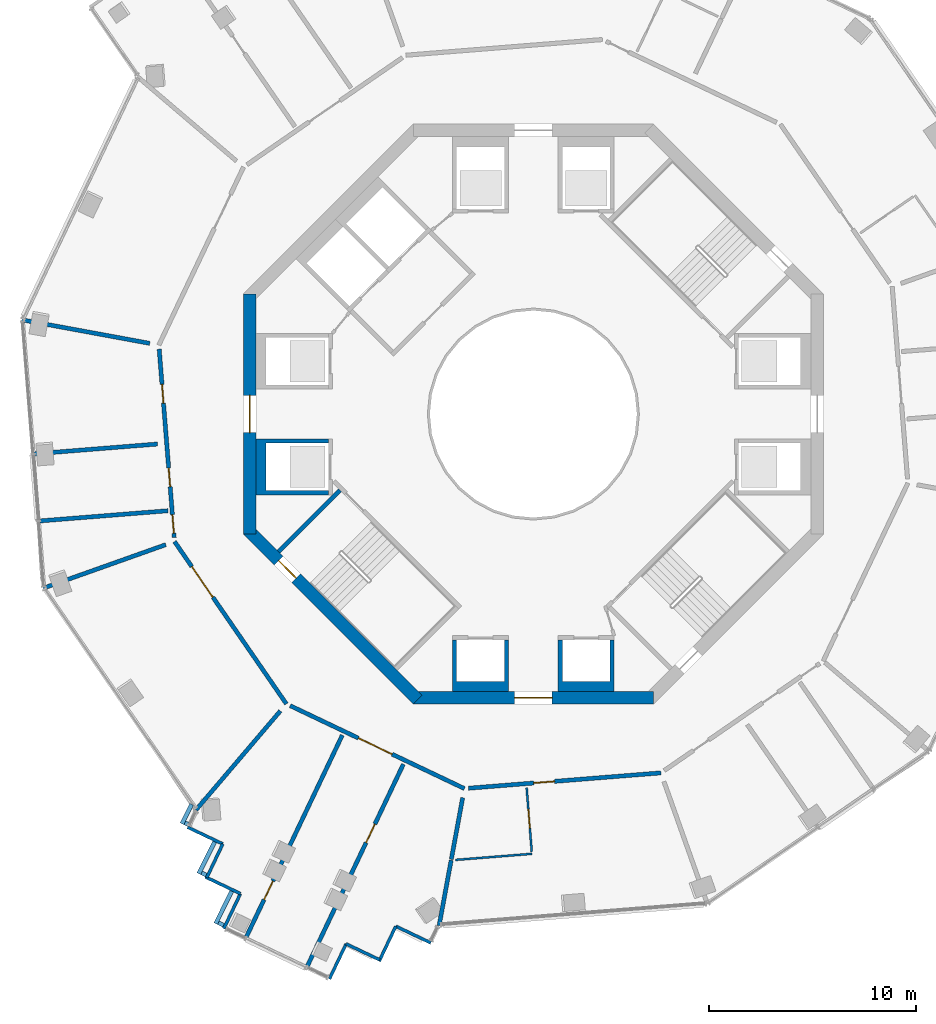
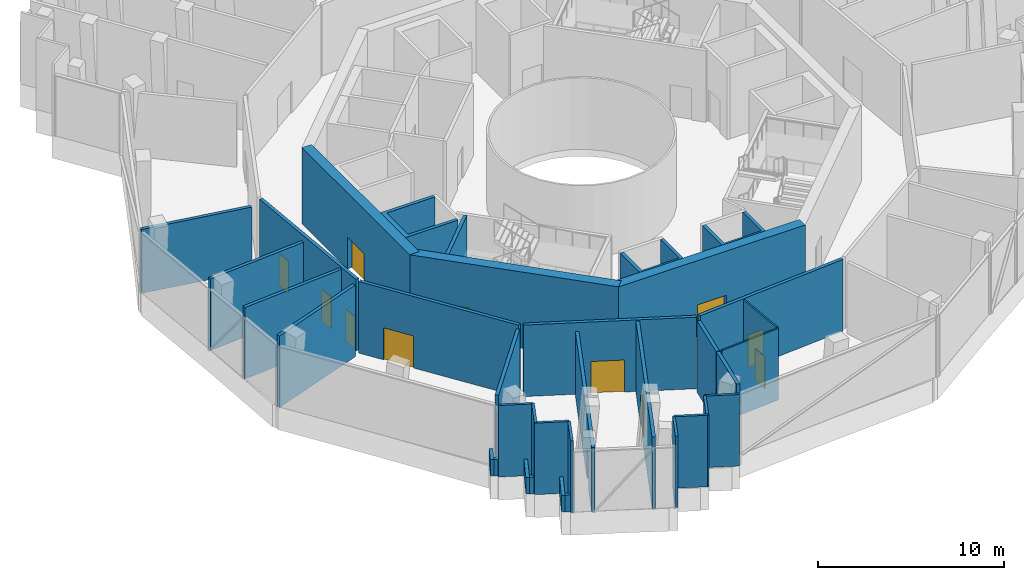
# One storey, part 11 of 21: 36 walls, 12 doors, 12 openings.
"""IFC4 building model written with IfcOpenShell, lengths in metres."""

from ifc_helpers import new_model, si_unit, direction, frame, frame_2d, origin, place, context, subcontext, project, spatial, polyline, rectangle, outline, extrude, material, layer, layer_set, type_object, element, fill, save


model = new_model("IFC4")

# Units and contexts
model_context = context("Model", 3, precision=1e-05, world=origin(), true_north=direction((0.0, 1.0)))
body_context = subcontext(model_context, "Body", "Model", "MODEL_VIEW")
ifc_project = project(units=[si_unit("LENGTHUNIT", "METRE"), si_unit("AREAUNIT", "SQUARE_METRE"), si_unit("VOLUMEUNIT", "CUBIC_METRE"), si_unit("PLANEANGLEUNIT", "RADIAN"), si_unit("MASSUNIT", "GRAM", prefix="KILO")], contexts=[model_context])

# Site, building, storey
site_placement = place(None, origin())
site = spatial("IfcSite", under=ifc_project, at=site_placement, CompositionType="ELEMENT")
building_placement = place(site_placement, origin())
building = spatial("IfcBuilding", under=site, at=building_placement, Name="Verdalira Terraces Hotel", CompositionType="ELEMENT")
storey_placement = place(building_placement, frame((0.0, 0.0, 175.0)))
storey = spatial("IfcBuildingStorey", under=building, at=storey_placement, Name="L42", CompositionType="ELEMENT", Elevation=175.0)

# Wall
ifc_material_1 = material(Name="Moisture-resistant gypsum board partition")
ifc_layer_1 = layer(ifc_material_1, 0.10009765625)
ifc_layer_set_1 = layer_set([ifc_layer_1], Name="Bathroom partition 100 mm")
wall_type_1 = type_object("IfcWallType", Name="Bathroom partition 100 mm", PredefinedType="PARTITIONING", material=ifc_layer_set_1)
wall_1_placement = place(storey_placement, frame((-0.070557, -21.231201, 0.0), z_axis=(0.0, 0.0, 1.0), x_axis=(-0.996835784, -0.079488492, 0.0)))
element("IfcWall", 1, at=wall_1_placement, inside=storey, type_object=wall_type_1, Name="Bathroom partition", PredefinedType="PARTITIONING", context=body_context, shape_type="SweptSolid", body=[
    extrude(rectangle(XDim=3.704102, YDim=0.100098, at=frame_2d((1.852051, 0.0))), origin(), (0.0, 0.0, 1.0), 4.689941),
])

# Wall, opening, door
wall_2_placement = place(storey_placement, frame((-0.078613, -21.131592, 0.0), z_axis=(0.0, 0.0, 1.0), x_axis=(-0.079460386, 0.996838024, 0.0)))
wall_2 = element("IfcWall", 2, at=wall_2_placement, inside=storey, type_object=wall_type_1, Name="Bathroom partition", PredefinedType="PARTITIONING", context=body_context, shape_type="SweptSolid", body=[
    extrude(rectangle(XDim=3.100098, YDim=0.100098, at=frame_2d((1.550049, 0.0))), origin(), (0.0, 0.0, 1.0), 4.689941),
])
opening_1_placement = place(wall_2_placement, frame((1.149902, 0.0, 0.0)))
opening_1 = element("IfcOpeningElement", 3, at=opening_1_placement, cuts=wall_2, Name="Opening L42-111", PredefinedType="OPENING", context=body_context, shape_type="SweptSolid", body=[
    extrude(rectangle(XDim=0.899902, YDim=2.100098, at=frame_2d((0.449951, 1.050049))), frame((0.0, 0.060059, 0.0), z_axis=(0.0, -1.0, 0.0), x_axis=(1.0, 0.0, 0.0)), (0.0, 0.0, 1.0), 0.120117),
])
ifc_material_2 = material(Name="Timber door", Category="wood")
door_type_1 = type_object("IfcDoorType", Name="Bathroom door 900 x 2100", OperationType="NOTDEFINED", PredefinedType="DOOR", material=ifc_material_2)
door_1_placement = place(opening_1_placement, origin())
door_1 = element("IfcDoor", 4, at=door_1_placement, inside=storey, type_object=door_type_1, Name="Bathroom door 4206", OperationType="SINGLE_SWING_LEFT", OverallHeight=2.10009765625, OverallWidth=0.89990234375, PredefinedType="DOOR", context=body_context, shape_type="SweptSolid", body=[
    extrude(rectangle(XDim=0.899902, YDim=2.100098, at=frame_2d((0.449951, 1.050049))), frame((0.0, 0.024902, 0.0), z_axis=(0.0, -1.0, 0.0), x_axis=(1.0, 0.0, 0.0)), (0.0, 0.0, 1.0), 0.050049),
])
fill(opening_1, door_1)

# Walls
ifc_material_3 = material(Name="Concrete C50", Category="concrete")
ifc_layer_2 = layer(ifc_material_3, 0.199951171875)
ifc_layer_set_2 = layer_set([ifc_layer_2], Name="Core RC wall 200 C50")
wall_type_2 = type_object("IfcWallType", Name="Core RC wall 200 C50", PredefinedType="SOLIDWALL", material=ifc_layer_set_2)
wall_3_placement = place(storey_placement, origin())
element("IfcWall", 5, at=wall_3_placement, inside=storey, type_object=wall_type_2, Name="L42 shaft wall W2", PredefinedType="SOLIDWALL", context=body_context, shape_type="SweptSolid", body=[
    extrude(outline(polyline([(-13.399902, -3.899902), (-13.399902, -1.199951), (-9.899902, -1.199951), (-9.899902, -1.399902), (-12.899902, -1.399902), (-12.899902, -3.699951), (-9.899902, -3.699951), (-9.899902, -3.899902), (-13.399902, -3.899902)])), origin(), (0.0, 0.0, 1.0), 4.689941),
])
wall_4_placement = place(storey_placement, origin())
element("IfcWall", 6, at=wall_4_placement, inside=storey, type_object=wall_type_2, Name="L42 shaft wall S1", PredefinedType="SOLIDWALL", context=body_context, shape_type="SweptSolid", body=[
    extrude(outline(polyline([(-3.899902, -13.399902), (-3.899902, -10.899902), (-3.699951, -10.899902), (-3.699951, -12.899902), (-1.399902, -12.899902), (-1.399902, -10.899902), (-1.199951, -10.899902), (-1.199951, -13.399902), (-3.899902, -13.399902)])), origin(), (0.0, 0.0, 1.0), 4.689941),
])
wall_5_placement = place(storey_placement, origin())
element("IfcWall", 7, at=wall_5_placement, inside=storey, type_object=wall_type_2, Name="L42 shaft wall S2", PredefinedType="SOLIDWALL", context=body_context, shape_type="SweptSolid", body=[
    extrude(outline(polyline([(1.199951, -10.899902), (1.399902, -10.899902), (1.399902, -12.899902), (3.699951, -12.899902), (3.699951, -10.899902), (3.899902, -10.899902), (3.899902, -13.399902), (1.199951, -13.399902), (1.199951, -10.899902)])), origin(), (0.0, 0.0, 1.0), 4.689941),
])
wall_6_placement = place(storey_placement, frame((-9.33374, -3.677002, 0.0), z_axis=(0.0, 0.0, 1.0), x_axis=(-0.707135845, -0.707077716, 0.0)))
element("IfcWall", 8, at=wall_6_placement, inside=storey, type_object=wall_type_2, Name="L42 stair ST2 end wall 1", PredefinedType="SOLIDWALL", context=body_context, shape_type="SweptSolid", body=[
    extrude(rectangle(XDim=4.199951, YDim=0.199951, at=frame_2d((2.100098, 0.0))), origin(), (0.0, 0.0, 1.0), 4.689941),
])

# Wall, opening, door
ifc_material_4 = material(Name="Concrete C60", Category="concrete")
ifc_layer_3 = layer(ifc_material_4, 0.60009765625)
ifc_layer_set_3 = layer_set([ifc_layer_3], Name="Core wall 600 C60")
wall_type_3 = type_object("IfcWallType", Name="Core wall 600 C60", PredefinedType="SHEAR", material=ifc_layer_set_3)
wall_7_placement = place(storey_placement, frame((-13.699951, 5.799072, 0.0), z_axis=(0.0, 0.0, 1.0), x_axis=(0.0, -1.0, 0.0)))
wall_7 = element("IfcWall", 9, at=wall_7_placement, inside=storey, type_object=wall_type_3, Name="Core wall CW-L42-5", PredefinedType="SHEAR", context=body_context, shape_type="SweptSolid", body=[
    extrude(rectangle(XDim=11.598145, YDim=0.600098, at=frame_2d((5.799072, 0.0))), origin(), (0.0, 0.0, 1.0), 5.0),
])
opening_2_placement = place(wall_7_placement, frame((4.898926, 0.0, 0.0)))
opening_2 = element("IfcOpeningElement", 10, at=opening_2_placement, cuts=wall_7, Name="Opening L42-816", PredefinedType="OPENING", context=body_context, shape_type="SweptSolid", body=[
    extrude(rectangle(XDim=1.800049, YDim=2.100098, at=frame_2d((0.899902, 1.050049))), frame((0.0, 0.310059, 0.0), z_axis=(0.0, -1.0, 0.0), x_axis=(1.0, 0.0, 0.0)), (0.0, 0.0, 1.0), 0.620117),
])
ifc_material_5 = material(Name="Steel fire door", Category="steel")
door_type_2 = type_object("IfcDoorType", Name="Core entry door pair 1800 x 2100", OperationType="NOTDEFINED", PredefinedType="DOOR", material=ifc_material_5)
door_2_placement = place(opening_2_placement, origin())
door_2 = element("IfcDoor", 11, at=door_2_placement, inside=storey, type_object=door_type_2, Name="Core entry door L42 4", OperationType="DOUBLE_DOOR_SINGLE_SWING", OverallHeight=2.10009765625, OverallWidth=1.800048828125, PredefinedType="DOOR", context=body_context, shape_type="SweptSolid", body=[
    extrude(rectangle(XDim=1.800049, YDim=2.100098, at=frame_2d((0.899902, 1.050049))), frame((0.0, 0.024902, 0.0), z_axis=(0.0, -1.0, 0.0), x_axis=(1.0, 0.0, 0.0)), (0.0, 0.0, 1.0), 0.050049),
])
fill(opening_2, door_2)

wall_8_placement = place(storey_placement, frame((-13.787842, -5.586914, 0.0), z_axis=(0.0, 0.0, 1.0), x_axis=(0.707106781, -0.707106781, 0.0)))
wall_8 = element("IfcWall", 12, at=wall_8_placement, inside=storey, type_object=wall_type_3, Name="Core wall CW-L42-6", PredefinedType="SHEAR", context=body_context, shape_type="SweptSolid", body=[
    extrude(rectangle(XDim=11.5979, YDim=0.600098, at=frame_2d((5.798828, 0.0))), origin(), (0.0, 0.0, 1.0), 5.0),
])
opening_3_placement = place(wall_8_placement, frame((2.099121, 0.0, 0.0)))
opening_3 = element("IfcOpeningElement", 13, at=opening_3_placement, cuts=wall_8, Name="Opening L42-819", PredefinedType="OPENING", context=body_context, shape_type="SweptSolid", body=[
    extrude(rectangle(XDim=1.199951, YDim=2.100098, at=frame_2d((0.600098, 1.050049))), frame((0.0, 0.310059, 0.0), z_axis=(0.0, -1.0, 0.0), x_axis=(1.0, 0.0, 0.0)), (0.0, 0.0, 1.0), 0.620117),
])
ifc_material_6 = material(Name="Steel fire door", Category="steel")
door_type_3 = type_object("IfcDoorType", Name="Stair door 1200 x 2100", OperationType="NOTDEFINED", PredefinedType="DOOR", material=ifc_material_6)
door_3_placement = place(opening_3_placement, origin())
door_3 = element("IfcDoor", 14, at=door_3_placement, inside=storey, type_object=door_type_3, Name="Stair exit door ST2 L42", OperationType="SINGLE_SWING_LEFT", OverallHeight=2.10009765625, OverallWidth=1.199951171875, PredefinedType="DOOR", context=body_context, shape_type="SweptSolid", body=[
    extrude(rectangle(XDim=1.199951, YDim=2.100098, at=frame_2d((0.600098, 1.050049))), frame((0.0, 0.024902, 0.0), z_axis=(0.0, -1.0, 0.0), x_axis=(1.0, 0.0, 0.0)), (0.0, 0.0, 1.0), 0.050049),
])
fill(opening_3, door_3)

wall_9_placement = place(storey_placement, frame((-5.799072, -13.699951, 0.0), z_axis=(0.0, 0.0, 1.0), x_axis=(1.0, 0.0, 0.0)))
wall_9 = element("IfcWall", 15, at=wall_9_placement, inside=storey, type_object=wall_type_3, Name="Core wall CW-L42-7", PredefinedType="SHEAR", context=body_context, shape_type="SweptSolid", body=[
    extrude(rectangle(XDim=11.598145, YDim=0.600098, at=frame_2d((5.799072, 0.0))), origin(), (0.0, 0.0, 1.0), 5.0),
])
opening_4_placement = place(wall_9_placement, frame((4.898926, 0.0, 0.0)))
opening_4 = element("IfcOpeningElement", 16, at=opening_4_placement, cuts=wall_9, Name="Opening L42-817", PredefinedType="OPENING", context=body_context, shape_type="SweptSolid", body=[
    extrude(rectangle(XDim=1.800049, YDim=2.100098, at=frame_2d((0.899902, 1.050049))), frame((0.0, 0.310059, 0.0), z_axis=(0.0, -1.0, 0.0), x_axis=(1.0, 0.0, 0.0)), (0.0, 0.0, 1.0), 0.620117),
])
door_4_placement = place(opening_4_placement, origin())
door_4 = element("IfcDoor", 17, at=door_4_placement, inside=storey, type_object=door_type_2, Name="Core entry door L42 6", OperationType="DOUBLE_DOOR_SINGLE_SWING", OverallHeight=2.10009765625, OverallWidth=1.800048828125, PredefinedType="DOOR", context=body_context, shape_type="SweptSolid", body=[
    extrude(rectangle(XDim=1.800049, YDim=2.100098, at=frame_2d((0.899902, 1.050049))), frame((0.0, 0.024902, 0.0), z_axis=(0.0, -1.0, 0.0), x_axis=(1.0, 0.0, 0.0)), (0.0, 0.0, 1.0), 0.050049),
])
fill(opening_4, door_4)

# Wall
ifc_material_7 = material(Name="Fire-rated gypsum board wall")
ifc_layer_4 = layer(ifc_material_7, 0.199951171875)
ifc_layer_set_4 = layer_set([ifc_layer_4], Name="Demising wall 200 mm")
wall_type_4 = type_object("IfcWallType", Name="Demising wall 200 mm", PredefinedType="SOLIDWALL", material=ifc_layer_set_4)
wall_10_placement = place(storey_placement, frame((-16.290283, -19.114014, 0.0), z_axis=(0.0, 0.0, 1.0), x_axis=(0.648654107, 0.76108334, 0.0)))
element("IfcWall", 18, at=wall_10_placement, inside=storey, type_object=wall_type_4, Name="Demising wall", PredefinedType="SOLIDWALL", context=body_context, shape_type="SweptSolid", body=[
    extrude(rectangle(XDim=6.282227, YDim=0.199951, at=frame_2d((3.141113, 0.0))), origin(), (0.0, 0.0, 1.0), 4.689941),
])

# Wall, opening, door
wall_11_placement = place(storey_placement, frame((-6.274414, -16.901855, 0.0), z_axis=(0.0, 0.0, 1.0), x_axis=(-0.429567521, -0.903034742, 0.0)))
wall_11 = element("IfcWall", 19, at=wall_11_placement, inside=storey, type_object=wall_type_4, Name="Demising wall", PredefinedType="SOLIDWALL", context=body_context, shape_type="SweptSolid", body=[
    extrude(rectangle(XDim=10.900146, YDim=0.199951, at=frame_2d((5.450195, 0.0))), origin(), (0.0, 0.0, 1.0), 4.689941),
])
opening_5_placement = place(wall_11_placement, frame((3.199951, 0.0, 0.0)))
opening_5 = element("IfcOpeningElement", 20, at=opening_5_placement, cuts=wall_11, Name="Opening L42-109", PredefinedType="OPENING", context=body_context, shape_type="SweptSolid", body=[
    extrude(rectangle(XDim=1.0, YDim=2.100098, at=frame_2d((0.5, 1.050049))), frame((0.0, 0.109863, 0.0), z_axis=(0.0, -1.0, 0.0), x_axis=(1.0, 0.0, 0.0)), (0.0, 0.0, 1.0), 0.219971),
])
ifc_material_8 = material(Name="Timber fire door", Category="wood")
door_type_4 = type_object("IfcDoorType", Name="Public room door 1000 x 2100", OperationType="NOTDEFINED", PredefinedType="DOOR", material=ifc_material_8)
door_5_placement = place(opening_5_placement, origin())
door_5 = element("IfcDoor", 21, at=door_5_placement, inside=storey, type_object=door_type_4, Name="Public room door 4205", OperationType="SINGLE_SWING_LEFT", OverallHeight=2.10009765625, OverallWidth=1.0, PredefinedType="DOOR", context=body_context, shape_type="SweptSolid", body=[
    extrude(rectangle(XDim=1.0, YDim=2.100098, at=frame_2d((0.5, 1.050049))), frame((0.0, 0.024902, 0.0), z_axis=(0.0, -1.0, 0.0), x_axis=(1.0, 0.0, 0.0)), (0.0, 0.0, 1.0), 0.050049),
])
fill(opening_5, door_5)

# Walls
wall_12_placement = place(storey_placement, frame((-3.968994, -21.540039, 0.0), z_axis=(0.0, 0.0, 1.0), x_axis=(-0.181166299, -0.983452476, 0.0)))
element("IfcWall", 22, at=wall_12_placement, inside=storey, type_object=wall_type_4, Name="Demising wall", PredefinedType="SOLIDWALL", context=body_context, shape_type="SweptSolid", body=[
    extrude(rectangle(XDim=3.211426, YDim=0.199951, at=frame_2d((1.605713, 0.0))), origin(), (0.0, 0.0, 1.0), 4.689941),
])
wall_13_placement = place(storey_placement, frame((-3.412598, -18.520264, 0.0), z_axis=(0.0, 0.0, 1.0), x_axis=(-0.181207626, -0.983444862, 0.0)))
element("IfcWall", 23, at=wall_13_placement, inside=storey, type_object=wall_type_4, Name="Demising wall", PredefinedType="SOLIDWALL", context=body_context, shape_type="SweptSolid", body=[
    extrude(rectangle(XDim=3.024658, YDim=0.199951, at=frame_2d((1.512207, 0.0))), origin(), (0.0, 0.0, 1.0), 4.689941),
])

# Wall, opening, door
ifc_material_9 = material(Name="Fire-rated gypsum board wall")
ifc_layer_5 = layer(ifc_material_9, 0.199951171875)
ifc_layer_set_5 = layer_set([ifc_layer_5], Name="Demising wall 200 mm to beam soffit")
wall_type_5 = type_object("IfcWallType", Name="Demising wall 200 mm to beam soffit", PredefinedType="SOLIDWALL", material=ifc_layer_set_5)
wall_14_placement = place(storey_placement, frame((-13.904785, -25.342773, 0.0), z_axis=(0.0, 0.0, 1.0), x_axis=(0.429567521, 0.903034742, 0.0)))
wall_14 = element("IfcWall", 24, at=wall_14_placement, inside=storey, type_object=wall_type_5, Name="Demising wall", PredefinedType="SOLIDWALL", context=body_context, shape_type="SweptSolid", body=[
    extrude(rectangle(XDim=10.900146, YDim=0.199951, at=frame_2d((5.450195, 0.0))), origin(), (0.0, 0.0, 1.0), 4.189941),
])
opening_6_placement = place(wall_14_placement, frame((2.100098, 0.0, 0.0)))
opening_6 = element("IfcOpeningElement", 25, at=opening_6_placement, cuts=wall_14, Name="Opening L42-108", PredefinedType="OPENING", context=body_context, shape_type="SweptSolid", body=[
    extrude(rectangle(XDim=1.0, YDim=2.100098, at=frame_2d((0.5, 1.050049))), frame((0.0, 0.109863, 0.0), z_axis=(0.0, -1.0, 0.0), x_axis=(1.0, 0.0, 0.0)), (0.0, 0.0, 1.0), 0.219971),
])
door_6_placement = place(opening_6_placement, origin())
door_6 = element("IfcDoor", 26, at=door_6_placement, inside=storey, type_object=door_type_4, Name="Public room door 4205", OperationType="SINGLE_SWING_LEFT", OverallHeight=2.10009765625, OverallWidth=1.0, PredefinedType="DOOR", context=body_context, shape_type="SweptSolid", body=[
    extrude(rectangle(XDim=1.0, YDim=2.100098, at=frame_2d((0.5, 1.050049))), frame((0.0, 0.024902, 0.0), z_axis=(0.0, -1.0, 0.0), x_axis=(1.0, 0.0, 0.0)), (0.0, 0.0, 1.0), 0.050049),
])
fill(opening_6, door_6)

# Wall, openings, doors
ifc_material_10 = material(Name="Fire-rated gypsum board wall")
ifc_layer_6 = layer(ifc_material_10, 0.199951171875)
ifc_layer_set_6 = layer_set([ifc_layer_6], Name="Guest corridor wall 200 mm")
wall_type_6 = type_object("IfcWallType", Name="Guest corridor wall 200 mm", PredefinedType="SOLIDWALL", material=ifc_layer_set_6)
wall_15_placement = place(storey_placement, frame((-17.3396, -5.955811, 0.0), z_axis=(0.0, 0.0, 1.0), x_axis=(-0.079507867, 0.996834238, 0.0)))
wall_15 = element("IfcWall", 27, at=wall_15_placement, inside=storey, type_object=wall_type_6, Name="Guest corridor wall", PredefinedType="SOLIDWALL", context=body_context, shape_type="SweptSolid", body=[
    extrude(rectangle(XDim=9.116699, YDim=0.199951, at=frame_2d((4.55835, 0.0))), origin(), (0.0, 0.0, 1.0), 4.689941),
])
opening_7_placement = place(wall_15_placement, frame((6.508301, 0.0, 0.0)))
opening_7 = element("IfcOpeningElement", 28, at=opening_7_placement, cuts=wall_15, Name="Opening L42-105", PredefinedType="OPENING", context=body_context, shape_type="SweptSolid", body=[
    extrude(rectangle(XDim=0.899902, YDim=2.100098, at=frame_2d((0.449951, 1.050049))), frame((0.0, 0.109863, 0.0), z_axis=(0.0, -1.0, 0.0), x_axis=(1.0, 0.0, 0.0)), (0.0, 0.0, 1.0), 0.219971),
])
opening_8_placement = place(wall_15_placement, frame((2.458252, 0.0, 0.0)))
opening_8 = element("IfcOpeningElement", 29, at=opening_8_placement, cuts=wall_15, Name="Opening L42-123", PredefinedType="OPENING", context=body_context, shape_type="SweptSolid", body=[
    extrude(rectangle(XDim=0.899902, YDim=2.100098, at=frame_2d((0.449951, 1.050049))), frame((0.0, 0.109863, 0.0), z_axis=(0.0, -1.0, 0.0), x_axis=(1.0, 0.0, 0.0)), (0.0, 0.0, 1.0), 0.219971),
])
opening_9_placement = place(wall_15_placement, frame((0.199951, 0.0, 0.0)))
opening_9 = element("IfcOpeningElement", 30, at=opening_9_placement, cuts=wall_15, Name="Opening L42-124", PredefinedType="OPENING", context=body_context, shape_type="SweptSolid", body=[
    extrude(rectangle(XDim=0.899902, YDim=2.100098, at=frame_2d((0.449951, 1.050049))), frame((0.0, 0.109863, 0.0), z_axis=(0.0, -1.0, 0.0), x_axis=(1.0, 0.0, 0.0)), (0.0, 0.0, 1.0), 0.219971),
])
ifc_material_11 = material(Name="Steel fire door", Category="steel")
door_type_5 = type_object("IfcDoorType", Name="Service room door 900 x 2100", OperationType="NOTDEFINED", PredefinedType="DOOR", material=ifc_material_11)
door_7_placement = place(opening_7_placement, origin())
door_7 = element("IfcDoor", 31, at=door_7_placement, inside=storey, type_object=door_type_5, Name="Service room door 4203", OperationType="SINGLE_SWING_LEFT", OverallHeight=2.10009765625, OverallWidth=0.89990234375, PredefinedType="DOOR", context=body_context, shape_type="SweptSolid", body=[
    extrude(rectangle(XDim=0.899902, YDim=2.100098, at=frame_2d((0.449951, 1.050049))), frame((0.0, 0.024902, 0.0), z_axis=(0.0, -1.0, 0.0), x_axis=(1.0, 0.0, 0.0)), (0.0, 0.0, 1.0), 0.050049),
])
fill(opening_7, door_7)
ifc_material_12 = material(Name="Timber fire door", Category="wood")
door_type_6 = type_object("IfcDoorType", Name="Toilet door 900 x 2100", OperationType="NOTDEFINED", PredefinedType="DOOR", material=ifc_material_12)
door_8_placement = place(opening_8_placement, origin())
door_8 = element("IfcDoor", 32, at=door_8_placement, inside=storey, type_object=door_type_6, Name="Toilet door 4214", OperationType="SINGLE_SWING_LEFT", OverallHeight=2.10009765625, OverallWidth=0.89990234375, PredefinedType="DOOR", context=body_context, shape_type="SweptSolid", body=[
    extrude(rectangle(XDim=0.899902, YDim=2.100098, at=frame_2d((0.449951, 1.050049))), frame((0.0, 0.024902, 0.0), z_axis=(0.0, -1.0, 0.0), x_axis=(1.0, 0.0, 0.0)), (0.0, 0.0, 1.0), 0.050049),
])
fill(opening_8, door_8)
door_9_placement = place(opening_9_placement, origin())
door_9 = element("IfcDoor", 33, at=door_9_placement, inside=storey, type_object=door_type_6, Name="Toilet door 4215", OperationType="SINGLE_SWING_LEFT", OverallHeight=2.10009765625, OverallWidth=0.89990234375, PredefinedType="DOOR", context=body_context, shape_type="SweptSolid", body=[
    extrude(rectangle(XDim=0.899902, YDim=2.100098, at=frame_2d((0.449951, 1.050049))), frame((0.0, 0.024902, 0.0), z_axis=(0.0, -1.0, 0.0), x_axis=(1.0, 0.0, 0.0)), (0.0, 0.0, 1.0), 0.050049),
])
fill(opening_9, door_9)

# Wall, opening, door
wall_16_placement = place(storey_placement, frame((-11.925293, -13.992188, 0.0), z_axis=(0.0, 0.0, 1.0), x_axis=(-0.567282038, 0.823523581, 0.0)))
wall_16 = element("IfcWall", 34, at=wall_16_placement, inside=storey, type_object=wall_type_6, Name="Guest corridor wall", PredefinedType="SOLIDWALL", context=body_context, shape_type="SweptSolid", body=[
    extrude(rectangle(XDim=9.516357, YDim=0.199951, at=frame_2d((4.758301, 0.0))), origin(), (0.0, 0.0, 1.0), 4.689941),
])
opening_10_placement = place(wall_16_placement, frame((6.25, 0.0, 0.0)))
opening_10 = element("IfcOpeningElement", 35, at=opening_10_placement, cuts=wall_16, Name="Opening L42-106", PredefinedType="OPENING", context=body_context, shape_type="SweptSolid", body=[
    extrude(rectangle(XDim=1.800049, YDim=2.100098, at=frame_2d((0.899902, 1.050049))), frame((0.0, 0.109863, 0.0), z_axis=(0.0, -1.0, 0.0), x_axis=(1.0, 0.0, 0.0)), (0.0, 0.0, 1.0), 0.219971),
])
ifc_material_13 = material(Name="Timber fire door", Category="wood")
door_type_7 = type_object("IfcDoorType", Name="Public room double door 1800 x 2100", OperationType="NOTDEFINED", PredefinedType="DOOR", material=ifc_material_13)
door_10_placement = place(opening_10_placement, origin())
door_10 = element("IfcDoor", 36, at=door_10_placement, inside=storey, type_object=door_type_7, Name="Public room double door 4204", OperationType="DOUBLE_DOOR_SINGLE_SWING", OverallHeight=2.10009765625, OverallWidth=1.800048828125, PredefinedType="DOOR", context=body_context, shape_type="SweptSolid", body=[
    extrude(rectangle(XDim=1.800049, YDim=2.100098, at=frame_2d((0.899902, 1.050049))), frame((0.0, 0.024902, 0.0), z_axis=(0.0, -1.0, 0.0), x_axis=(1.0, 0.0, 0.0)), (0.0, 0.0, 1.0), 0.050049),
])
fill(opening_10, door_10)

wall_17_placement = place(storey_placement, frame((-3.331299, -18.080322, 0.0), z_axis=(0.0, 0.0, 1.0), x_axis=(-0.903043531, 0.429549043, 0.0)))
wall_17 = element("IfcWall", 37, at=wall_17_placement, inside=storey, type_object=wall_type_6, Name="Guest corridor wall", PredefinedType="SOLIDWALL", context=body_context, shape_type="SweptSolid", body=[
    extrude(rectangle(XDim=9.31665, YDim=0.199951, at=frame_2d((4.658203, 0.0))), origin(), (0.0, 0.0, 1.0), 4.689941),
])
opening_11_placement = place(wall_17_placement, frame((3.864014, 0.0, 0.0)))
opening_11 = element("IfcOpeningElement", 38, at=opening_11_placement, cuts=wall_17, Name="Opening L42-107", PredefinedType="OPENING", context=body_context, shape_type="SweptSolid", body=[
    extrude(rectangle(XDim=1.800049, YDim=2.100098, at=frame_2d((0.899902, 1.050049))), frame((0.0, 0.109863, 0.0), z_axis=(0.0, -1.0, 0.0), x_axis=(1.0, 0.0, 0.0)), (0.0, 0.0, 1.0), 0.219971),
])
door_11_placement = place(opening_11_placement, origin())
door_11 = element("IfcDoor", 39, at=door_11_placement, inside=storey, type_object=door_type_7, Name="Public room double door 4205", OperationType="DOUBLE_DOOR_SINGLE_SWING", OverallHeight=2.10009765625, OverallWidth=1.800048828125, PredefinedType="DOOR", context=body_context, shape_type="SweptSolid", body=[
    extrude(rectangle(XDim=1.800049, YDim=2.100098, at=frame_2d((0.899902, 1.050049))), frame((0.0, 0.024902, 0.0), z_axis=(0.0, -1.0, 0.0), x_axis=(1.0, 0.0, 0.0)), (0.0, 0.0, 1.0), 0.050049),
])
fill(opening_11, door_11)

wall_18_placement = place(storey_placement, frame((6.155029, -17.32373, 0.0), z_axis=(0.0, 0.0, 1.0), x_axis=(-0.996834414, -0.079505668, 0.0)))
wall_18 = element("IfcWall", 40, at=wall_18_placement, inside=storey, type_object=wall_type_6, Name="Guest corridor wall", PredefinedType="SOLIDWALL", context=body_context, shape_type="SweptSolid", body=[
    extrude(rectangle(XDim=9.31665, YDim=0.199951, at=frame_2d((4.658203, 0.0))), origin(), (0.0, 0.0, 1.0), 4.689941),
])
opening_12_placement = place(wall_18_placement, frame((5.149902, 0.0, 0.0)))
opening_12 = element("IfcOpeningElement", 41, at=opening_12_placement, cuts=wall_18, Name="Opening L42-110", PredefinedType="OPENING", context=body_context, shape_type="SweptSolid", body=[
    extrude(rectangle(XDim=1.0, YDim=2.100098, at=frame_2d((0.5, 1.050049))), frame((0.0, 0.109863, 0.0), z_axis=(0.0, -1.0, 0.0), x_axis=(1.0, 0.0, 0.0)), (0.0, 0.0, 1.0), 0.219971),
])
ifc_material_14 = material(Name="Timber fire door", Category="wood")
door_type_8 = type_object("IfcDoorType", Name="Guest entry door 1000 x 2100", OperationType="NOTDEFINED", PredefinedType="DOOR", material=ifc_material_14)
door_12_placement = place(opening_12_placement, origin())
door_12 = element("IfcDoor", 42, at=door_12_placement, inside=storey, type_object=door_type_8, Name="Guest entry door 4206", OperationType="SINGLE_SWING_LEFT", OverallHeight=2.10009765625, OverallWidth=1.0, PredefinedType="DOOR", context=body_context, shape_type="SweptSolid", body=[
    extrude(rectangle(XDim=1.0, YDim=2.100098, at=frame_2d((0.5, 1.050049))), frame((0.0, 0.024902, 0.0), z_axis=(0.0, -1.0, 0.0), x_axis=(1.0, 0.0, 0.0)), (0.0, 0.0, 1.0), 0.050049),
])
fill(opening_12, door_12)

# Walls
ifc_material_15 = material(Name="Fire-rated gypsum board wall")
ifc_layer_7 = layer(ifc_material_15, 0.199951171875)
ifc_layer_set_7 = layer_set([ifc_layer_7], Name="Service room wall 200 mm")
wall_type_7 = type_object("IfcWallType", Name="Service room wall 200 mm", PredefinedType="SOLIDWALL", material=ifc_layer_set_7)
wall_19_placement = place(storey_placement, frame((-18.147949, -1.44751, 0.0), z_axis=(0.0, 0.0, 1.0), x_axis=(-0.996834616, -0.079503137, 0.0)))
element("IfcWall", 43, at=wall_19_placement, inside=storey, type_object=wall_type_7, Name="Service room wall", PredefinedType="SOLIDWALL", context=body_context, shape_type="SweptSolid", body=[
    extrude(rectangle(XDim=6.05249, YDim=0.199951, at=frame_2d((3.026367, 0.0))), origin(), (0.0, 0.0, 1.0), 4.689941),
])
wall_20_placement = place(storey_placement, frame((-17.643066, -4.66748, 0.0), z_axis=(0.0, 0.0, 1.0), x_axis=(-0.996836314, -0.079481837, 0.0)))
element("IfcWall", 44, at=wall_20_placement, inside=storey, type_object=wall_type_7, Name="Service room wall", PredefinedType="SOLIDWALL", context=body_context, shape_type="SweptSolid", body=[
    extrude(rectangle(XDim=6.300049, YDim=0.199951, at=frame_2d((3.149902, 0.0))), origin(), (0.0, 0.0, 1.0), 4.689941),
])
wall_21_placement = place(storey_placement, frame((-23.664795, -8.407959, 0.0), z_axis=(0.0, 0.0, 1.0), x_axis=(0.94229808, 0.334775042, 0.0)))
element("IfcWall", 45, at=wall_21_placement, inside=storey, type_object=wall_type_7, Name="Service room wall", PredefinedType="SOLIDWALL", context=body_context, shape_type="SweptSolid", body=[
    extrude(rectangle(XDim=6.281982, YDim=0.199951, at=frame_2d((3.141113, 0.0))), origin(), (0.0, 0.0, 1.0), 4.689941),
])
ifc_material_16 = material(Name="Fire-rated gypsum board wall")
ifc_layer_8 = layer(ifc_material_16, 0.199951171875)
ifc_layer_set_8 = layer_set([ifc_layer_8], Name="Service room wall 200 mm to beam soffit")
wall_type_8 = type_object("IfcWallType", Name="Service room wall 200 mm to beam soffit", PredefinedType="SOLIDWALL", material=ifc_layer_set_8)
wall_22_placement = place(storey_placement, frame((-18.520264, 3.412598, 0.0), z_axis=(0.0, 0.0, 1.0), x_axis=(-0.983449362, 0.181183202, 0.0)))
element("IfcWall", 46, at=wall_22_placement, inside=storey, type_object=wall_type_8, Name="Service room wall", PredefinedType="SOLIDWALL", context=body_context, shape_type="SweptSolid", body=[
    extrude(rectangle(XDim=6.281982, YDim=0.199951, at=frame_2d((3.141113, 0.0))), origin(), (0.0, 0.0, 1.0), 4.189941),
])
ifc_material_17 = material(Name="Terracotta cladding", Category="masonry")
ifc_layer_9 = layer(ifc_material_17, 0.199951171875)
ifc_layer_set_9 = layer_set([ifc_layer_9], Name="Terracotta clad parapet 200")
wall_type_9 = type_object("IfcWallType", Name="Terracotta clad parapet 200", PredefinedType="PARAPET", material=ifc_layer_set_9)
wall_23_placement = place(storey_placement, frame((-16.496582, -18.838379, 0.0), z_axis=(0.0, 0.0, 1.0), x_axis=(-0.444699929, -0.895679615, 0.0)))
element("IfcWall", 47, at=wall_23_placement, inside=storey, type_object=wall_type_9, Name="Terracotta clad parapet", PredefinedType="PARAPET", context=body_context, shape_type="SweptSolid", body=[
    extrude(rectangle(XDim=1.049805, YDim=0.199951, at=frame_2d((0.524902, 0.0))), origin(), (0.0, 0.0, 1.0), 1.100098),
])
wall_24_placement = place(storey_placement, frame((-16.829346, -19.733398, 0.0), z_axis=(0.0, 0.0, 1.0), x_axis=(0.895756847, -0.444544341, 0.0)))
element("IfcWall", 48, at=wall_24_placement, inside=storey, type_object=wall_type_9, Name="Terracotta clad parapet", PredefinedType="PARAPET", context=body_context, shape_type="SweptSolid", body=[
    extrude(rectangle(XDim=0.219727, YDim=0.199951, at=frame_2d((0.109863, 0.0))), origin(), (0.0, 0.0, 1.0), 1.100098),
])
wall_25_placement = place(storey_placement, frame((-15.387207, -20.6521, 0.0), z_axis=(0.0, 0.0, 1.0), x_axis=(-0.444711235, -0.895674002, 0.0)))
element("IfcWall", 49, at=wall_25_placement, inside=storey, type_object=wall_type_9, Name="Terracotta clad parapet", PredefinedType="PARAPET", context=body_context, shape_type="SweptSolid", body=[
    extrude(rectangle(XDim=1.718262, YDim=0.199951, at=frame_2d((0.859131, 0.0))), origin(), (0.0, 0.0, 1.0), 1.100098),
])
wall_26_placement = place(storey_placement, frame((-16.017334, -22.145996, 0.0), z_axis=(0.0, 0.0, 1.0), x_axis=(0.895401506, -0.445259636, 0.0)))
element("IfcWall", 50, at=wall_26_placement, inside=storey, type_object=wall_type_9, Name="Terracotta clad parapet", PredefinedType="PARAPET", context=body_context, shape_type="SweptSolid", body=[
    extrude(rectangle(XDim=0.25, YDim=0.199951, at=frame_2d((0.125, 0.0))), origin(), (0.0, 0.0, 1.0), 1.100098),
])
wall_27_placement = place(storey_placement, frame((-14.562012, -23.037842, 0.0), z_axis=(0.0, 0.0, 1.0), x_axis=(-0.44464221, -0.89570827, 0.0)))
element("IfcWall", 51, at=wall_27_placement, inside=storey, type_object=wall_type_9, Name="Terracotta clad parapet", PredefinedType="PARAPET", context=body_context, shape_type="SweptSolid", body=[
    extrude(rectangle(XDim=1.748291, YDim=0.199951, at=frame_2d((0.874023, 0.0))), origin(), (0.0, 0.0, 1.0), 1.100098),
])
wall_28_placement = place(storey_placement, frame((-15.205322, -24.558594, 0.0), z_axis=(0.0, 0.0, 1.0), x_axis=(0.895642432, -0.444774813, 0.0)))
element("IfcWall", 52, at=wall_28_placement, inside=storey, type_object=wall_type_9, Name="Terracotta clad parapet", PredefinedType="PARAPET", context=body_context, shape_type="SweptSolid", body=[
    extrude(rectangle(XDim=0.280518, YDim=0.199951, at=frame_2d((0.140137, 0.0))), origin(), (0.0, 0.0, 1.0), 1.100098),
])
ifc_material_18 = material(Name="Terracotta cladding", Category="masonry")
ifc_layer_10 = layer(ifc_material_18, 0.14990234375)
ifc_layer_set_10 = layer_set([ifc_layer_10], Name="Terracotta clad wall 150")
wall_type_10 = type_object("IfcWallType", Name="Terracotta clad wall 150", PredefinedType="SOLIDWALL", material=ifc_layer_set_10)
wall_29_placement = place(storey_placement, frame((-16.687744, -19.949219, 0.0), z_axis=(0.0, 0.0, 1.0), x_axis=(0.903055362, -0.42952417, 0.0)))
element("IfcWall", 53, at=wall_29_placement, inside=storey, type_object=wall_type_10, Name="Terracotta cladding wall", PredefinedType="SOLIDWALL", context=body_context, shape_type="SweptSolid", body=[
    extrude(rectangle(XDim=1.875244, YDim=0.149902, at=frame_2d((0.9375, 0.0))), origin(), (0.0, 0.0, 1.0), 4.689941),
])
wall_30_placement = place(storey_placement, frame((-14.994385, -20.754639, 0.0), z_axis=(0.0, 0.0, 1.0), x_axis=(-0.429549207, -0.903043454, 0.0)))
element("IfcWall", 54, at=wall_30_placement, inside=storey, type_object=wall_type_10, Name="Terracotta cladding wall", PredefinedType="SOLIDWALL", context=body_context, shape_type="SweptSolid", body=[
    extrude(rectangle(XDim=1.800049, YDim=0.149902, at=frame_2d((0.899902, 0.0))), origin(), (0.0, 0.0, 1.0), 4.689941),
])
for number, where, z_axis, x_axis, name in (
    (55, (-15.835449, -22.3479, 0.0), (0.0, 0.0, 1.0), (0.903055362, -0.42952417, 0.0), "Terracotta cladding wall"),
    (56, (-14.14209, -23.15332, 0.0), (0.0, 0.0, 1.0), (-0.42952417, -0.903055362, 0.0), "Terracotta cladding wall"),
    (57, (-9.845459, -27.273682, 0.0), (0.0, 0.0, 1.0), (0.42952417, 0.903055362, 0.0), "Terracotta cladding wall"),
):
    element("IfcWall", number, at=place(storey_placement, frame(where, z_axis=z_axis, x_axis=x_axis)), inside=storey, type_object=wall_type_10, Name=name, PredefinedType="SOLIDWALL", context=body_context, shape_type="SweptSolid", body=[
        extrude(rectangle(XDim=1.875244, YDim=0.149902, at=frame_2d((0.9375, 0.0))), origin(), (0.0, 0.0, 1.0), 4.689941),
    ])
wall_31_placement = place(storey_placement, frame((-9.040039, -25.580322, 0.0), z_axis=(0.0, 0.0, 1.0), x_axis=(0.902990838, -0.429659804, 0.0)))
element("IfcWall", 58, at=wall_31_placement, inside=storey, type_object=wall_type_10, Name="Terracotta cladding wall", PredefinedType="SOLIDWALL", context=body_context, shape_type="SweptSolid", body=[
    extrude(rectangle(XDim=1.800049, YDim=0.149902, at=frame_2d((0.899902, 0.0))), origin(), (0.0, 0.0, 1.0), 4.689941),
])
for number, where, z_axis, x_axis, name in (
    (59, (-7.446777, -26.421387, 0.0), (0.0, 0.0, 1.0), (0.429574677, 0.903031338, 0.0), "Terracotta cladding wall"),
    (60, (-6.641357, -24.728271, 0.0), (0.0, 0.0, 1.0), (0.903031338, -0.429574677, 0.0), "Terracotta cladding wall"),
):
    element("IfcWall", number, at=place(storey_placement, frame(where, z_axis=z_axis, x_axis=x_axis)), inside=storey, type_object=wall_type_10, Name=name, PredefinedType="SOLIDWALL", context=body_context, shape_type="SweptSolid", body=[
        extrude(rectangle(XDim=1.875, YDim=0.149902, at=frame_2d((0.9375, 0.0))), origin(), (0.0, 0.0, 1.0), 4.689941),
    ])

save(model, "model.ifc")
